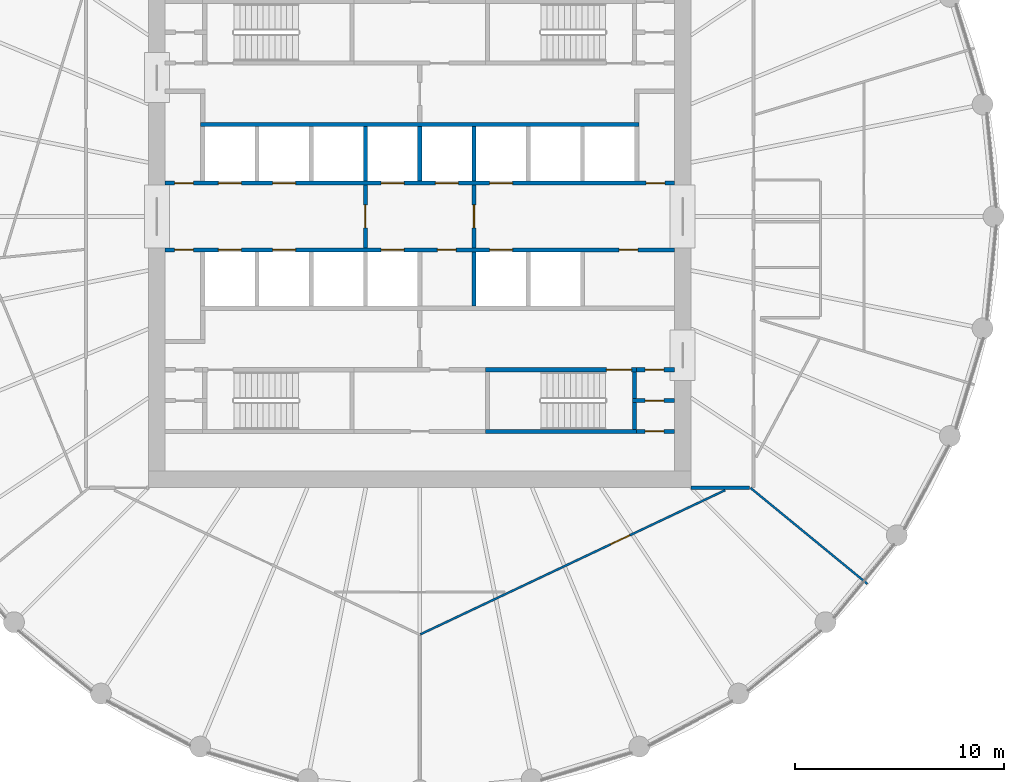
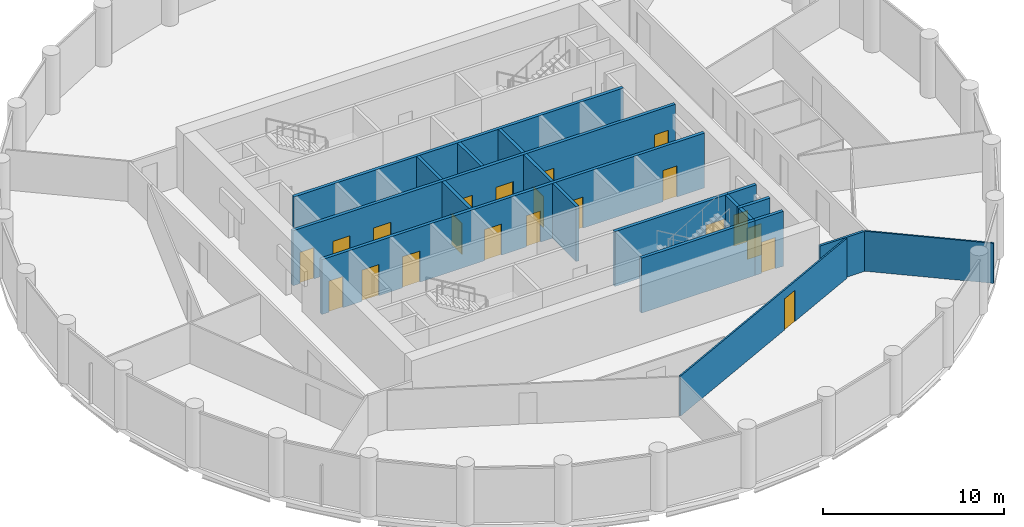
# One storey, part 5 of 8: 21 doors, 19 walls, 21 openings.
"""IFC4 building model written with IfcOpenShell, lengths in metres."""

import ifcopenshell
import ifcopenshell.guid

model = None  # the IFC model being written
_history = None  # IfcOwnerHistory: only IFC2X3 demands one
_inside = {}  # id of a spatial element -> (the spatial element, [elements in it])
_under = {}  # id of a project, library or spatial element -> (it, [spatial elements below it])
_declared = {}  # id of a project -> (the project, [libraries it declares])
_typed = {}  # id of a type object -> (the type object, [elements of that type])
_made_of = {}  # id of a material, layer set ... -> (it, [elements and type objects made of it])


def new_model(schema):
    """Start an empty IFC model of exactly this schema.

    Asked for "IFC4X3", IfcOpenShell would pick the latest addendum, in which some entities
    have other attributes; the version numbers below select the first issue.
    IFC2X3 requires an IfcOwnerHistory on every rooted entity: one is made here for all.
    """
    global model, _history
    if schema == "IFC4X3":
        model = ifcopenshell.file(schema_version=(4, 3, 0, 0))
    else:
        model = ifcopenshell.file(schema=schema)
    _inside.clear()
    _under.clear()
    _declared.clear()
    _typed.clear()
    _made_of.clear()
    _history = None
    if model.schema == "IFC2X3":
        org = make("IfcOrganization", Name="unknown")
        user = make(
            "IfcPersonAndOrganization",
            ThePerson=make("IfcPerson", FamilyName="unknown"),
            TheOrganization=org,
        )
        app = make(
            "IfcApplication",
            ApplicationDeveloper=org,
            Version="unknown",
            ApplicationFullName="unknown",
            ApplicationIdentifier="unknown",
        )
        _history = make(
            "IfcOwnerHistory",
            OwningUser=user,
            OwningApplication=app,
            ChangeAction="ADDED",
            CreationDate=0,
        )
    return model


def make(cls, **values):
    """One entity of the class cls with the attributes given. An attribute that is None is left unset."""
    return model.create_entity(
        cls, **{name: value for name, value in values.items() if value is not None}
    )


def rooted(cls, **values):
    """An entity with a GlobalId (a new one), such as an element, a storey or a relation."""
    return make(cls, GlobalId=ifcopenshell.guid.new(), OwnerHistory=_history, **values)


def si_unit(unit_type, name, prefix=None):
    """IfcSIUnit, for example si_unit("LENGTHUNIT", "METRE", prefix="MILLI")."""
    return make("IfcSIUnit", UnitType=unit_type, Prefix=prefix, Name=name)


def assignment(units):
    """IfcUnitAssignment: the units of a project."""
    return None if units is None else make("IfcUnitAssignment", Units=units)


def point(xyz):
    """IfcCartesianPoint."""
    return None if xyz is None else make("IfcCartesianPoint", Coordinates=xyz)


def direction(xyz):
    """IfcDirection."""
    return None if xyz is None else make("IfcDirection", DirectionRatios=xyz)


def frame(location, z_axis=None, x_axis=None):
    """IfcAxis2Placement3D, a coordinate frame: its origin and axes. An axis left out is left unset."""
    return make(
        "IfcAxis2Placement3D",
        Location=point(location),
        Axis=direction(z_axis),
        RefDirection=direction(x_axis),
    )


def frame_2d(location, x_axis=None):
    """IfcAxis2Placement2D, a coordinate frame in the plane: its origin and x axis."""
    return make(
        "IfcAxis2Placement2D", Location=point(location), RefDirection=direction(x_axis)
    )


def origin():
    """The frame at (0, 0, 0) with its axes left unset."""
    return frame((0.0, 0.0, 0.0))


def place(relative_to, where):
    """IfcLocalPlacement: puts the frame where relative to a parent placement (None: the world)."""
    return make(
        "IfcLocalPlacement", PlacementRelTo=relative_to, RelativePlacement=where
    )


def context(
    kind, dimensions, precision=None, world=None, true_north=None, identifier=None
):
    """IfcGeometricRepresentationContext, for example the 3D "Model" context."""
    return make(
        "IfcGeometricRepresentationContext",
        ContextIdentifier=identifier,
        ContextType=kind,
        CoordinateSpaceDimension=dimensions,
        Precision=precision,
        WorldCoordinateSystem=world,
        TrueNorth=true_north,
    )


def subcontext(parent, identifier, kind, view, scale=None):
    """IfcGeometricRepresentationSubContext, for example "Body" below "Model"."""
    return make(
        "IfcGeometricRepresentationSubContext",
        ContextIdentifier=identifier,
        ContextType=kind,
        ParentContext=parent,
        TargetScale=scale,
        TargetView=view,
    )


def project(units=None, contexts=None):
    """IfcProject with its units and contexts."""
    return rooted(
        "IfcProject",
        Name="project",
        RepresentationContexts=contexts,
        UnitsInContext=assignment(units),
    )


def spatial(cls, under=None, at=None, **own):
    """A site, building, storey or space (cls), placed at a placement, below another one or the project."""
    s = rooted(cls, ObjectPlacement=at, **own)
    if under is not None:
        _under.setdefault(under.id(), (under, []))[1].append(s)
    return s


def polyline(points):
    """IfcPolyline through the points."""
    return make("IfcPolyline", Points=[point(p) for p in points])


def profile(cls, at=None, kind="AREA", **sizes):
    """A parametric profile (cls). Its sizes go by their IFC names, for example OverallWidth=200.0."""
    return make(cls, ProfileType=kind, Position=at, **sizes)


def rectangle(**sizes):
    """IfcRectangleProfileDef."""
    return profile("IfcRectangleProfileDef", **sizes)


def outline(outer, holes=None, kind="AREA"):
    """IfcArbitraryClosedProfileDef: a profile drawn as a closed curve; with holes, ...WithVoids."""
    if holes is None:
        return make("IfcArbitraryClosedProfileDef", ProfileType=kind, OuterCurve=outer)
    return make(
        "IfcArbitraryProfileDefWithVoids",
        ProfileType=kind,
        OuterCurve=outer,
        InnerCurves=holes,
    )


def extrude(swept, where, along, depth):
    """IfcExtrudedAreaSolid: the profile swept, set in the frame where, extruded along a direction by depth."""
    return make(
        "IfcExtrudedAreaSolid",
        SweptArea=swept,
        Position=where,
        ExtrudedDirection=direction(along),
        Depth=depth,
    )


def shape(context_of_items, identifier, shape_type, items):
    """IfcShapeRepresentation: the items that make up one representation, for example the "Body"."""
    return make(
        "IfcShapeRepresentation",
        ContextOfItems=context_of_items,
        RepresentationIdentifier=identifier,
        RepresentationType=shape_type,
        Items=items,
    )


def material(Name=None, Category=None):
    """IfcMaterial."""
    return make("IfcMaterial", Name=Name, Category=Category)


def layer(
    of_material, thickness, ventilated=None, Name=None, Category=None, Priority=None
):
    """IfcMaterialLayer: one layer of a wall or slab, of a material (None: an air gap)."""
    return make(
        "IfcMaterialLayer",
        Material=of_material,
        LayerThickness=thickness,
        IsVentilated=ventilated,
        Name=Name,
        Category=Category,
        Priority=Priority,
    )


def layer_set(layers, Name=None):
    """IfcMaterialLayerSet."""
    return make("IfcMaterialLayerSet", MaterialLayers=layers, LayerSetName=Name)


def made_of(thing, what):
    """Note that an element or type object is made of a material, layer set ...; save() writes the relation."""
    if what is not None:
        _made_of.setdefault(what.id(), (what, []))[1].append(thing)
    return thing


def type_object(cls, material=None, **own):
    """A type object (cls), such as IfcWallType, which elements share."""
    return made_of(rooted(cls, **own), material)


def element(
    cls,
    number,
    at=None,
    inside=None,
    cuts=None,
    type_object=None,
    material=None,
    context=None,
    identifier="Body",
    shape_type=None,
    held_by="IfcProductDefinitionShape",
    body=None,
    shapes=None,
    **own,
):
    """One element of the class cls, such as IfcWall. Its Tag is "e" and its number.

    at: its placement. inside: the storey or other place that contains it. cuts: it is an
    opening in that element (IfcRelVoidsElement). A single representation is given by context,
    identifier, shape_type and body (its items); several are given by shapes. held_by: the class
    of the entity that holds the representations. save() writes the other relations.
    """
    e = rooted(cls, Tag="e%d" % number, ObjectPlacement=at, **own)
    if body is not None:
        shapes = [shape(context, identifier, shape_type, body)]
    if shapes is not None:
        e.Representation = make(held_by, Representations=shapes)
    if inside is not None:
        _inside.setdefault(inside.id(), (inside, []))[1].append(e)
    if cuts is not None:
        rooted(
            "IfcRelVoidsElement", RelatingBuildingElement=cuts, RelatedOpeningElement=e
        )
    if type_object is not None:
        _typed.setdefault(type_object.id(), (type_object, []))[1].append(e)
    return made_of(e, material)


def fill(opening, filler):
    """IfcRelFillsElement: the door or window that sits in an opening."""
    return rooted(
        "IfcRelFillsElement",
        RelatingOpeningElement=opening,
        RelatedBuildingElement=filler,
    )


def aggregate(whole, parts):
    """IfcRelAggregates: a whole, such as a stair, and the parts it consists of."""
    return rooted("IfcRelAggregates", RelatingObject=whole, RelatedObjects=parts)


def save(model, path):
    """Write the relations noted so far, then the file.

    IfcRelAggregates (storeys below a building ...), IfcRelContainedInSpatialStructure (elements
    in a storey), IfcRelDefinesByType, IfcRelAssociatesMaterial and IfcRelDeclares: one each for
    every whole, place, type object, material and project.
    """
    for whole, parts in _under.values():
        aggregate(whole, parts)
    for where, things in _inside.values():
        rooted(
            "IfcRelContainedInSpatialStructure",
            RelatedElements=things,
            RelatingStructure=where,
        )
    for kind, things in _typed.values():
        rooted("IfcRelDefinesByType", RelatedObjects=things, RelatingType=kind)
    for what, things in _made_of.values():
        rooted("IfcRelAssociatesMaterial", RelatedObjects=things, RelatingMaterial=what)
    for by, libraries in _declared.values():
        rooted("IfcRelDeclares", RelatingContext=by, RelatedDefinitions=libraries)
    model.write(path)


model = new_model("IFC4")

# Units and contexts
model_context = context("Model", 3, precision=1e-05, world=origin(), true_north=direction((0.0, 1.0)))
body_context = subcontext(model_context, "Body", "Model", "MODEL_VIEW")
ifc_project = project(units=[si_unit("LENGTHUNIT", "METRE"), si_unit("AREAUNIT", "SQUARE_METRE"), si_unit("VOLUMEUNIT", "CUBIC_METRE"), si_unit("PLANEANGLEUNIT", "RADIAN"), si_unit("MASSUNIT", "GRAM", prefix="KILO")], contexts=[model_context])

# Site, building, storey
site_placement = place(None, origin())
site = spatial("IfcSite", under=ifc_project, at=site_placement, CompositionType="ELEMENT")
building_placement = place(site_placement, origin())
building = spatial("IfcBuilding", under=site, at=building_placement, Name="Corvane Civic Tower", CompositionType="ELEMENT")
storey_placement = place(building_placement, frame((0.0, 0.0, 245.5)))
storey = spatial("IfcBuildingStorey", under=building, at=storey_placement, Name="L58", CompositionType="ELEMENT", Elevation=245.5)

# Wall, opening, door
ifc_material_1 = material(Name="Concrete C30/37", Category="concrete")
ifc_layer_1 = layer(ifc_material_1, 0.199951171875)
ifc_layer_set_1 = layer_set([ifc_layer_1], Name="Concrete C30/37")
wall_type_1 = type_object("IfcWallType", Name="CR-WALL-200", PredefinedType="PARTITIONING", material=ifc_layer_set_1)
wall_1_placement = place(storey_placement, frame((10.39990234375, -10.300048828125, 0.0), z_axis=(0.0, 0.0, 1.0), x_axis=(1.0, 0.0, 0.0)))
wall_1 = element("IfcWall", 1, at=wall_1_placement, inside=storey, type_object=wall_type_1, Name="L58 partition wall", PredefinedType="PARTITIONING", context=body_context, shape_type="SweptSolid", body=[
    extrude(rectangle(XDim=1.800048828125, YDim=0.199951171875, at=frame_2d((0.89990234375, 0.0))), origin(), (0.0, 0.0, 1.0), 3.699951171875),
])
opening_1_placement = place(wall_1_placement, frame((0.39990234375, 0.0, 0.0)))
opening_1 = element("IfcOpeningElement", 2, at=opening_1_placement, cuts=wall_1, Name="Opening L58.C19", PredefinedType="OPENING", context=body_context, shape_type="SweptSolid", body=[
    extrude(rectangle(XDim=0.89990234375, YDim=2.10009765625, at=frame_2d((0.449951171875, 1.050048828125))), frame((0.0, 0.10986328125, 0.0), z_axis=(0.0, -1.0, 0.0), x_axis=(1.0, 0.0, 0.0)), (0.0, 0.0, 1.0), 0.219970703125),
])
ifc_material_2 = material(Name="Steel fire door leaf", Category="steel")
door_type_1 = type_object("IfcDoorType", Name="CR-DOOR-900", OperationType="SINGLE_SWING_LEFT", PredefinedType="DOOR", material=ifc_material_2)
door_1_placement = place(opening_1_placement, origin())
door_1 = element("IfcDoor", 3, at=door_1_placement, inside=storey, type_object=door_type_1, Name="L58 door", OperationType="SINGLE_SWING_LEFT", OverallHeight=2.10009765625, OverallWidth=0.89990234375, PredefinedType="DOOR", context=body_context, shape_type="SweptSolid", body=[
    extrude(rectangle(XDim=0.89990234375, YDim=2.10009765625, at=frame_2d((0.449951171875, 1.050048828125))), frame((0.0, 0.02490234375, 0.0), z_axis=(0.0, -1.0, 0.0), x_axis=(1.0, 0.0, 0.0)), (0.0, 0.0, 1.0), 0.050048828125),
])
fill(opening_1, door_1)

wall_2_placement = place(storey_placement, frame((10.199951171875, -8.824951171875, 0.0), z_axis=(0.0, 0.0, 1.0), x_axis=(1.0, 0.0, 0.0)))
wall_2 = element("IfcWall", 4, at=wall_2_placement, inside=storey, type_object=wall_type_1, Name="L58 partition wall", PredefinedType="PARTITIONING", context=body_context, shape_type="SweptSolid", body=[
    extrude(rectangle(XDim=2.0, YDim=0.199951171875, at=frame_2d((1.0, 0.0))), origin(), (0.0, 0.0, 1.0), 3.699951171875),
])
opening_2_placement = place(wall_2_placement, frame((0.60009765625, 0.0, 0.0)))
opening_2 = element("IfcOpeningElement", 5, at=opening_2_placement, cuts=wall_2, Name="Opening L58.C18", PredefinedType="OPENING", context=body_context, shape_type="SweptSolid", body=[
    extrude(rectangle(XDim=0.89990234375, YDim=2.10009765625, at=frame_2d((0.449951171875, 1.050048828125))), frame((0.0, 0.10986328125, 0.0), z_axis=(0.0, -1.0, 0.0), x_axis=(1.0, 0.0, 0.0)), (0.0, 0.0, 1.0), 0.219970703125),
])
door_2_placement = place(opening_2_placement, origin())
door_2 = element("IfcDoor", 6, at=door_2_placement, inside=storey, type_object=door_type_1, Name="L58 door", OperationType="SINGLE_SWING_LEFT", OverallHeight=2.10009765625, OverallWidth=0.89990234375, PredefinedType="DOOR", context=body_context, shape_type="SweptSolid", body=[
    extrude(rectangle(XDim=0.89990234375, YDim=2.10009765625, at=frame_2d((0.449951171875, 1.050048828125))), frame((0.0, 0.02490234375, 0.0), z_axis=(0.0, -1.0, 0.0), x_axis=(1.0, 0.0, 0.0)), (0.0, 0.0, 1.0), 0.050048828125),
])
fill(opening_2, door_2)

wall_3_placement = place(storey_placement, frame((10.39990234375, -7.35009765625, 0.0), z_axis=(0.0, 0.0, 1.0), x_axis=(1.0, 0.0, 0.0)))
wall_3 = element("IfcWall", 7, at=wall_3_placement, inside=storey, type_object=wall_type_1, Name="L58 core partition wall", PredefinedType="PARTITIONING", context=body_context, shape_type="SweptSolid", body=[
    extrude(rectangle(XDim=1.800048828125, YDim=0.199951171875, at=frame_2d((0.89990234375, 0.0))), origin(), (0.0, 0.0, 1.0), 3.699951171875),
])
opening_3_placement = place(wall_3_placement, frame((0.39990234375, 0.0, 0.0)))
opening_3 = element("IfcOpeningElement", 8, at=opening_3_placement, cuts=wall_3, Name="Opening L58.C17", PredefinedType="OPENING", context=body_context, shape_type="SweptSolid", body=[
    extrude(rectangle(XDim=0.89990234375, YDim=2.10009765625, at=frame_2d((0.449951171875, 1.050048828125))), frame((0.0, 0.10986328125, 0.0), z_axis=(0.0, -1.0, 0.0), x_axis=(1.0, 0.0, 0.0)), (0.0, 0.0, 1.0), 0.219970703125),
])
door_3_placement = place(opening_3_placement, origin())
door_3 = element("IfcDoor", 9, at=door_3_placement, inside=storey, type_object=door_type_1, Name="L58 door", OperationType="SINGLE_SWING_LEFT", OverallHeight=2.10009765625, OverallWidth=0.89990234375, PredefinedType="DOOR", context=body_context, shape_type="SweptSolid", body=[
    extrude(rectangle(XDim=0.89990234375, YDim=2.10009765625, at=frame_2d((0.449951171875, 1.050048828125))), frame((0.0, 0.02490234375, 0.0), z_axis=(0.0, -1.0, 0.0), x_axis=(1.0, 0.0, 0.0)), (0.0, 0.0, 1.0), 0.050048828125),
])
fill(opening_3, door_3)

# Wall, openings, doors
wall_4_placement = place(storey_placement, frame((-12.199951171875, -1.60009765625, 0.0), z_axis=(0.0, 0.0, 1.0), x_axis=(1.0, 0.0, 0.0)))
wall_4 = element("IfcWall", 10, at=wall_4_placement, inside=storey, type_object=wall_type_1, Name="L58 lift shaft wall", PredefinedType="PARTITIONING", context=body_context, shape_type="SweptSolid", body=[
    extrude(rectangle(XDim=24.39990234375, YDim=0.199951171875, at=frame_2d((12.199951171875, 0.0))), origin(), (0.0, 0.0, 1.0), 3.699951171875),
])
opening_4_placement = place(wall_4_placement, frame((2.550048828125, 0.0, 0.0)))
opening_4 = element("IfcOpeningElement", 11, at=opening_4_placement, cuts=wall_4, Name="Opening LD", PredefinedType="OPENING", context=body_context, shape_type="SweptSolid", body=[
    extrude(rectangle(XDim=1.10009765625, YDim=2.10009765625, at=frame_2d((0.550048828125, 1.050048828125))), frame((0.0, 0.10986328125, 0.0), z_axis=(0.0, -1.0, 0.0), x_axis=(1.0, 0.0, 0.0)), (0.0, 0.0, 1.0), 0.219970703125),
])
opening_5_placement = place(wall_4_placement, frame((5.14990234375, 0.0, 0.0)))
opening_5 = element("IfcOpeningElement", 12, at=opening_5_placement, cuts=wall_4, Name="Opening LD", PredefinedType="OPENING", context=body_context, shape_type="SweptSolid", body=[
    extrude(rectangle(XDim=1.10009765625, YDim=2.10009765625, at=frame_2d((0.550048828125, 1.050048828125))), frame((0.0, 0.10986328125, 0.0), z_axis=(0.0, -1.0, 0.0), x_axis=(1.0, 0.0, 0.0)), (0.0, 0.0, 1.0), 0.219970703125),
])
opening_6_placement = place(wall_4_placement, frame((10.35009765625, 0.0, 0.0)))
opening_6 = element("IfcOpeningElement", 13, at=opening_6_placement, cuts=wall_4, Name="Opening LD", PredefinedType="OPENING", context=body_context, shape_type="SweptSolid", body=[
    extrude(rectangle(XDim=1.10009765625, YDim=2.10009765625, at=frame_2d((0.550048828125, 1.050048828125))), frame((0.0, 0.10986328125, 0.0), z_axis=(0.0, -1.0, 0.0), x_axis=(1.0, 0.0, 0.0)), (0.0, 0.0, 1.0), 0.219970703125),
])
opening_7_placement = place(wall_4_placement, frame((13.050048828125, 0.0, 0.0)))
opening_7 = element("IfcOpeningElement", 14, at=opening_7_placement, cuts=wall_4, Name="Opening L58.C03", PredefinedType="OPENING", context=body_context, shape_type="SweptSolid", body=[
    extrude(rectangle(XDim=0.89990234375, YDim=2.10009765625, at=frame_2d((0.449951171875, 1.050048828125))), frame((0.0, 0.10986328125, 0.0), z_axis=(0.0, -1.0, 0.0), x_axis=(1.0, 0.0, 0.0)), (0.0, 0.0, 1.0), 0.219970703125),
])
opening_8_placement = place(wall_4_placement, frame((15.550048828125, 0.0, 0.0)))
opening_8 = element("IfcOpeningElement", 15, at=opening_8_placement, cuts=wall_4, Name="Opening LD", PredefinedType="OPENING", context=body_context, shape_type="SweptSolid", body=[
    extrude(rectangle(XDim=1.10009765625, YDim=2.10009765625, at=frame_2d((0.550048828125, 1.050048828125))), frame((0.0, 0.10986328125, 0.0), z_axis=(0.0, -1.0, 0.0), x_axis=(1.0, 0.0, 0.0)), (0.0, 0.0, 1.0), 0.219970703125),
])
opening_9_placement = place(wall_4_placement, frame((0.449951171875, 0.0, 0.0)))
opening_9 = element("IfcOpeningElement", 16, at=opening_9_placement, cuts=wall_4, Name="Opening L58.C04", PredefinedType="OPENING", context=body_context, shape_type="SweptSolid", body=[
    extrude(rectangle(XDim=0.89990234375, YDim=2.10009765625, at=frame_2d((0.449951171875, 1.050048828125))), frame((0.0, 0.10986328125, 0.0), z_axis=(0.0, -1.0, 0.0), x_axis=(1.0, 0.0, 0.0)), (0.0, 0.0, 1.0), 0.219970703125),
])
opening_10_placement = place(wall_4_placement, frame((21.75, 0.0, 0.0)))
opening_10 = element("IfcOpeningElement", 17, at=opening_10_placement, cuts=wall_4, Name="Opening L58.C05", PredefinedType="OPENING", context=body_context, shape_type="SweptSolid", body=[
    extrude(rectangle(XDim=0.89990234375, YDim=2.10009765625, at=frame_2d((0.449951171875, 1.050048828125))), frame((0.0, 0.10986328125, 0.0), z_axis=(0.0, -1.0, 0.0), x_axis=(1.0, 0.0, 0.0)), (0.0, 0.0, 1.0), 0.219970703125),
])
door_4_placement = place(opening_7_placement, origin())
door_4 = element("IfcDoor", 18, at=door_4_placement, inside=storey, type_object=door_type_1, Name="L58 door", OperationType="SINGLE_SWING_LEFT", OverallHeight=2.10009765625, OverallWidth=0.89990234375, PredefinedType="DOOR", context=body_context, shape_type="SweptSolid", body=[
    extrude(rectangle(XDim=0.89990234375, YDim=2.10009765625, at=frame_2d((0.449951171875, 1.050048828125))), frame((0.0, 0.02490234375, 0.0), z_axis=(0.0, -1.0, 0.0), x_axis=(1.0, 0.0, 0.0)), (0.0, 0.0, 1.0), 0.050048828125),
])
fill(opening_7, door_4)
door_5_placement = place(opening_9_placement, origin())
door_5 = element("IfcDoor", 19, at=door_5_placement, inside=storey, type_object=door_type_1, Name="L58 door", OperationType="SINGLE_SWING_LEFT", OverallHeight=2.10009765625, OverallWidth=0.89990234375, PredefinedType="DOOR", context=body_context, shape_type="SweptSolid", body=[
    extrude(rectangle(XDim=0.89990234375, YDim=2.10009765625, at=frame_2d((0.449951171875, 1.050048828125))), frame((0.0, 0.02490234375, 0.0), z_axis=(0.0, -1.0, 0.0), x_axis=(1.0, 0.0, 0.0)), (0.0, 0.0, 1.0), 0.050048828125),
])
fill(opening_9, door_5)
door_6_placement = place(opening_10_placement, origin())
door_6 = element("IfcDoor", 20, at=door_6_placement, inside=storey, type_object=door_type_1, Name="L58 door", OperationType="SINGLE_SWING_LEFT", OverallHeight=2.10009765625, OverallWidth=0.89990234375, PredefinedType="DOOR", context=body_context, shape_type="SweptSolid", body=[
    extrude(rectangle(XDim=0.89990234375, YDim=2.10009765625, at=frame_2d((0.449951171875, 1.050048828125))), frame((0.0, 0.02490234375, 0.0), z_axis=(0.0, -1.0, 0.0), x_axis=(1.0, 0.0, 0.0)), (0.0, 0.0, 1.0), 0.050048828125),
])
fill(opening_10, door_6)
ifc_material_3 = material(Name="Stainless steel 316 door leaves", Category="steel")
door_type_2 = type_object("IfcDoorType", Name="LD", OperationType="DOUBLE_DOOR_SLIDING", PredefinedType="DOOR", material=ifc_material_3)
door_7_placement = place(opening_4_placement, origin())
door_7 = element("IfcDoor", 21, at=door_7_placement, inside=storey, type_object=door_type_2, Name="L58 landing door", OperationType="DOUBLE_DOOR_SLIDING", OverallHeight=2.10009765625, OverallWidth=1.10009765625, PredefinedType="DOOR", context=body_context, shape_type="SweptSolid", body=[
    extrude(rectangle(XDim=1.10009765625, YDim=2.10009765625, at=frame_2d((0.550048828125, 1.050048828125))), frame((0.0, 0.02490234375, 0.0), z_axis=(0.0, -1.0, 0.0), x_axis=(1.0, 0.0, 0.0)), (0.0, 0.0, 1.0), 0.050048828125),
])
fill(opening_4, door_7)
door_8_placement = place(opening_5_placement, origin())
door_8 = element("IfcDoor", 22, at=door_8_placement, inside=storey, type_object=door_type_2, Name="L58 landing door", OperationType="DOUBLE_DOOR_SLIDING", OverallHeight=2.10009765625, OverallWidth=1.10009765625, PredefinedType="DOOR", context=body_context, shape_type="SweptSolid", body=[
    extrude(rectangle(XDim=1.10009765625, YDim=2.10009765625, at=frame_2d((0.550048828125, 1.050048828125))), frame((0.0, 0.02490234375, 0.0), z_axis=(0.0, -1.0, 0.0), x_axis=(1.0, 0.0, 0.0)), (0.0, 0.0, 1.0), 0.050048828125),
])
fill(opening_5, door_8)
door_9_placement = place(opening_6_placement, origin())
door_9 = element("IfcDoor", 23, at=door_9_placement, inside=storey, type_object=door_type_2, Name="L58 landing door", OperationType="DOUBLE_DOOR_SLIDING", OverallHeight=2.10009765625, OverallWidth=1.10009765625, PredefinedType="DOOR", context=body_context, shape_type="SweptSolid", body=[
    extrude(rectangle(XDim=1.10009765625, YDim=2.10009765625, at=frame_2d((0.550048828125, 1.050048828125))), frame((0.0, 0.02490234375, 0.0), z_axis=(0.0, -1.0, 0.0), x_axis=(1.0, 0.0, 0.0)), (0.0, 0.0, 1.0), 0.050048828125),
])
fill(opening_6, door_9)
door_10_placement = place(opening_8_placement, origin())
door_10 = element("IfcDoor", 24, at=door_10_placement, inside=storey, type_object=door_type_2, Name="L58 landing door", OperationType="DOUBLE_DOOR_SLIDING", OverallHeight=2.10009765625, OverallWidth=1.10009765625, PredefinedType="DOOR", context=body_context, shape_type="SweptSolid", body=[
    extrude(rectangle(XDim=1.10009765625, YDim=2.10009765625, at=frame_2d((0.550048828125, 1.050048828125))), frame((0.0, 0.02490234375, 0.0), z_axis=(0.0, -1.0, 0.0), x_axis=(1.0, 0.0, 0.0)), (0.0, 0.0, 1.0), 0.050048828125),
])
fill(opening_8, door_10)

wall_5_placement = place(storey_placement, frame((-12.199951171875, 1.60009765625, 0.0), z_axis=(0.0, 0.0, 1.0), x_axis=(1.0, 0.0, 0.0)))
wall_5 = element("IfcWall", 25, at=wall_5_placement, inside=storey, type_object=wall_type_1, Name="L58 lift shaft wall", PredefinedType="PARTITIONING", context=body_context, shape_type="SweptSolid", body=[
    extrude(rectangle(XDim=24.39990234375, YDim=0.199951171875, at=frame_2d((12.199951171875, 0.0))), origin(), (0.0, 0.0, 1.0), 3.699951171875),
])
opening_11_placement = place(wall_5_placement, frame((2.550048828125, 0.0, 0.0)))
opening_11 = element("IfcOpeningElement", 26, at=opening_11_placement, cuts=wall_5, Name="Opening LD", PredefinedType="OPENING", context=body_context, shape_type="SweptSolid", body=[
    extrude(rectangle(XDim=1.10009765625, YDim=2.10009765625, at=frame_2d((0.550048828125, 1.050048828125))), frame((0.0, 0.10986328125, 0.0), z_axis=(0.0, -1.0, 0.0), x_axis=(1.0, 0.0, 0.0)), (0.0, 0.0, 1.0), 0.219970703125),
])
opening_12_placement = place(wall_5_placement, frame((5.14990234375, 0.0, 0.0)))
opening_12 = element("IfcOpeningElement", 27, at=opening_12_placement, cuts=wall_5, Name="Opening LD", PredefinedType="OPENING", context=body_context, shape_type="SweptSolid", body=[
    extrude(rectangle(XDim=1.10009765625, YDim=2.10009765625, at=frame_2d((0.550048828125, 1.050048828125))), frame((0.0, 0.10986328125, 0.0), z_axis=(0.0, -1.0, 0.0), x_axis=(1.0, 0.0, 0.0)), (0.0, 0.0, 1.0), 0.219970703125),
])
opening_13_placement = place(wall_5_placement, frame((10.35009765625, 0.0, 0.0)))
opening_13 = element("IfcOpeningElement", 28, at=opening_13_placement, cuts=wall_5, Name="Opening LD", PredefinedType="OPENING", context=body_context, shape_type="SweptSolid", body=[
    extrude(rectangle(XDim=1.10009765625, YDim=2.10009765625, at=frame_2d((0.550048828125, 1.050048828125))), frame((0.0, 0.10986328125, 0.0), z_axis=(0.0, -1.0, 0.0), x_axis=(1.0, 0.0, 0.0)), (0.0, 0.0, 1.0), 0.219970703125),
])
opening_14_placement = place(wall_5_placement, frame((12.949951171875, 0.0, 0.0)))
opening_14 = element("IfcOpeningElement", 29, at=opening_14_placement, cuts=wall_5, Name="Opening LD", PredefinedType="OPENING", context=body_context, shape_type="SweptSolid", body=[
    extrude(rectangle(XDim=1.10009765625, YDim=2.10009765625, at=frame_2d((0.550048828125, 1.050048828125))), frame((0.0, 0.10986328125, 0.0), z_axis=(0.0, -1.0, 0.0), x_axis=(1.0, 0.0, 0.0)), (0.0, 0.0, 1.0), 0.219970703125),
])
opening_15_placement = place(wall_5_placement, frame((15.550048828125, 0.0, 0.0)))
opening_15 = element("IfcOpeningElement", 30, at=opening_15_placement, cuts=wall_5, Name="Opening LD", PredefinedType="OPENING", context=body_context, shape_type="SweptSolid", body=[
    extrude(rectangle(XDim=1.10009765625, YDim=2.10009765625, at=frame_2d((0.550048828125, 1.050048828125))), frame((0.0, 0.10986328125, 0.0), z_axis=(0.0, -1.0, 0.0), x_axis=(1.0, 0.0, 0.0)), (0.0, 0.0, 1.0), 0.219970703125),
])
opening_16_placement = place(wall_5_placement, frame((0.449951171875, 0.0, 0.0)))
opening_16 = element("IfcOpeningElement", 31, at=opening_16_placement, cuts=wall_5, Name="Opening L58.C01", PredefinedType="OPENING", context=body_context, shape_type="SweptSolid", body=[
    extrude(rectangle(XDim=0.89990234375, YDim=2.10009765625, at=frame_2d((0.449951171875, 1.050048828125))), frame((0.0, 0.10986328125, 0.0), z_axis=(0.0, -1.0, 0.0), x_axis=(1.0, 0.0, 0.0)), (0.0, 0.0, 1.0), 0.219970703125),
])
opening_17_placement = place(wall_5_placement, frame((23.050048828125, 0.0, 0.0)))
opening_17 = element("IfcOpeningElement", 32, at=opening_17_placement, cuts=wall_5, Name="Opening L58.C02", PredefinedType="OPENING", context=body_context, shape_type="SweptSolid", body=[
    extrude(rectangle(XDim=0.89990234375, YDim=2.10009765625, at=frame_2d((0.449951171875, 1.050048828125))), frame((0.0, 0.10986328125, 0.0), z_axis=(0.0, -1.0, 0.0), x_axis=(1.0, 0.0, 0.0)), (0.0, 0.0, 1.0), 0.219970703125),
])
door_11_placement = place(opening_16_placement, origin())
door_11 = element("IfcDoor", 33, at=door_11_placement, inside=storey, type_object=door_type_1, Name="L58 door", OperationType="SINGLE_SWING_LEFT", OverallHeight=2.10009765625, OverallWidth=0.89990234375, PredefinedType="DOOR", context=body_context, shape_type="SweptSolid", body=[
    extrude(rectangle(XDim=0.89990234375, YDim=2.10009765625, at=frame_2d((0.449951171875, 1.050048828125))), frame((0.0, 0.02490234375, 0.0), z_axis=(0.0, -1.0, 0.0), x_axis=(1.0, 0.0, 0.0)), (0.0, 0.0, 1.0), 0.050048828125),
])
fill(opening_16, door_11)
door_12_placement = place(opening_17_placement, origin())
door_12 = element("IfcDoor", 34, at=door_12_placement, inside=storey, type_object=door_type_1, Name="L58 door", OperationType="SINGLE_SWING_LEFT", OverallHeight=2.10009765625, OverallWidth=0.89990234375, PredefinedType="DOOR", context=body_context, shape_type="SweptSolid", body=[
    extrude(rectangle(XDim=0.89990234375, YDim=2.10009765625, at=frame_2d((0.449951171875, 1.050048828125))), frame((0.0, 0.02490234375, 0.0), z_axis=(0.0, -1.0, 0.0), x_axis=(1.0, 0.0, 0.0)), (0.0, 0.0, 1.0), 0.050048828125),
])
fill(opening_17, door_12)
door_13_placement = place(opening_11_placement, origin())
door_13 = element("IfcDoor", 35, at=door_13_placement, inside=storey, type_object=door_type_2, Name="L58 landing door", OperationType="DOUBLE_DOOR_SLIDING", OverallHeight=2.10009765625, OverallWidth=1.10009765625, PredefinedType="DOOR", context=body_context, shape_type="SweptSolid", body=[
    extrude(rectangle(XDim=1.10009765625, YDim=2.10009765625, at=frame_2d((0.550048828125, 1.050048828125))), frame((0.0, 0.02490234375, 0.0), z_axis=(0.0, -1.0, 0.0), x_axis=(1.0, 0.0, 0.0)), (0.0, 0.0, 1.0), 0.050048828125),
])
fill(opening_11, door_13)
door_14_placement = place(opening_12_placement, origin())
door_14 = element("IfcDoor", 36, at=door_14_placement, inside=storey, type_object=door_type_2, Name="L58 landing door", OperationType="DOUBLE_DOOR_SLIDING", OverallHeight=2.10009765625, OverallWidth=1.10009765625, PredefinedType="DOOR", context=body_context, shape_type="SweptSolid", body=[
    extrude(rectangle(XDim=1.10009765625, YDim=2.10009765625, at=frame_2d((0.550048828125, 1.050048828125))), frame((0.0, 0.02490234375, 0.0), z_axis=(0.0, -1.0, 0.0), x_axis=(1.0, 0.0, 0.0)), (0.0, 0.0, 1.0), 0.050048828125),
])
fill(opening_12, door_14)
door_15_placement = place(opening_13_placement, origin())
door_15 = element("IfcDoor", 37, at=door_15_placement, inside=storey, type_object=door_type_2, Name="L58 landing door", OperationType="DOUBLE_DOOR_SLIDING", OverallHeight=2.10009765625, OverallWidth=1.10009765625, PredefinedType="DOOR", context=body_context, shape_type="SweptSolid", body=[
    extrude(rectangle(XDim=1.10009765625, YDim=2.10009765625, at=frame_2d((0.550048828125, 1.050048828125))), frame((0.0, 0.02490234375, 0.0), z_axis=(0.0, -1.0, 0.0), x_axis=(1.0, 0.0, 0.0)), (0.0, 0.0, 1.0), 0.050048828125),
])
fill(opening_13, door_15)
door_16_placement = place(opening_14_placement, origin())
door_16 = element("IfcDoor", 38, at=door_16_placement, inside=storey, type_object=door_type_2, Name="L58 landing door", OperationType="DOUBLE_DOOR_SLIDING", OverallHeight=2.10009765625, OverallWidth=1.10009765625, PredefinedType="DOOR", context=body_context, shape_type="SweptSolid", body=[
    extrude(rectangle(XDim=1.10009765625, YDim=2.10009765625, at=frame_2d((0.550048828125, 1.050048828125))), frame((0.0, 0.02490234375, 0.0), z_axis=(0.0, -1.0, 0.0), x_axis=(1.0, 0.0, 0.0)), (0.0, 0.0, 1.0), 0.050048828125),
])
fill(opening_14, door_16)
door_17_placement = place(opening_15_placement, origin())
door_17 = element("IfcDoor", 39, at=door_17_placement, inside=storey, type_object=door_type_2, Name="L58 landing door", OperationType="DOUBLE_DOOR_SLIDING", OverallHeight=2.10009765625, OverallWidth=1.10009765625, PredefinedType="DOOR", context=body_context, shape_type="SweptSolid", body=[
    extrude(rectangle(XDim=1.10009765625, YDim=2.10009765625, at=frame_2d((0.550048828125, 1.050048828125))), frame((0.0, 0.02490234375, 0.0), z_axis=(0.0, -1.0, 0.0), x_axis=(1.0, 0.0, 0.0)), (0.0, 0.0, 1.0), 0.050048828125),
])
fill(opening_15, door_17)

# Wall, opening, door
wall_6_placement = place(storey_placement, frame((-2.60009765625, -1.5, 0.0), z_axis=(0.0, 0.0, 1.0), x_axis=(0.0, 1.0, 0.0)))
wall_6 = element("IfcWall", 40, at=wall_6_placement, inside=storey, type_object=wall_type_1, Name="L58 firefighting lobby wall", PredefinedType="PARTITIONING", context=body_context, shape_type="SweptSolid", body=[
    extrude(rectangle(XDim=3.0, YDim=0.199951171875, at=frame_2d((1.5, 0.0))), origin(), (0.0, 0.0, 1.0), 3.699951171875),
])
opening_18_placement = place(wall_6_placement, frame((0.949951171875, 0.0, 0.0)))
opening_18 = element("IfcOpeningElement", 41, at=opening_18_placement, cuts=wall_6, Name="Opening L58.C24", PredefinedType="OPENING", context=body_context, shape_type="SweptSolid", body=[
    extrude(rectangle(XDim=1.10009765625, YDim=2.10009765625, at=frame_2d((0.550048828125, 1.050048828125))), frame((0.0, 0.10986328125, 0.0), z_axis=(0.0, -1.0, 0.0), x_axis=(1.0, 0.0, 0.0)), (0.0, 0.0, 1.0), 0.219970703125),
])
ifc_material_4 = material(Name="Steel fire door leaf", Category="steel")
door_type_3 = type_object("IfcDoorType", Name="CR-DOOR-FFL-1100", OperationType="SINGLE_SWING_LEFT", PredefinedType="DOOR", material=ifc_material_4)
door_18_placement = place(opening_18_placement, origin())
door_18 = element("IfcDoor", 42, at=door_18_placement, inside=storey, type_object=door_type_3, Name="L58 lobby door", OperationType="SINGLE_SWING_LEFT", OverallHeight=2.10009765625, OverallWidth=1.10009765625, PredefinedType="DOOR", context=body_context, shape_type="SweptSolid", body=[
    extrude(rectangle(XDim=1.10009765625, YDim=2.10009765625, at=frame_2d((0.550048828125, 1.050048828125))), frame((0.0, 0.02490234375, 0.0), z_axis=(0.0, -1.0, 0.0), x_axis=(1.0, 0.0, 0.0)), (0.0, 0.0, 1.0), 0.050048828125),
])
fill(opening_18, door_18)

wall_7_placement = place(storey_placement, frame((2.60009765625, -1.5, 0.0), z_axis=(0.0, 0.0, 1.0), x_axis=(0.0, 1.0, 0.0)))
wall_7 = element("IfcWall", 43, at=wall_7_placement, inside=storey, type_object=wall_type_1, Name="L58 firefighting lobby wall", PredefinedType="PARTITIONING", context=body_context, shape_type="SweptSolid", body=[
    extrude(rectangle(XDim=3.0, YDim=0.199951171875, at=frame_2d((1.5, 0.0))), origin(), (0.0, 0.0, 1.0), 3.699951171875),
])
opening_19_placement = place(wall_7_placement, frame((0.949951171875, 0.0, 0.0)))
opening_19 = element("IfcOpeningElement", 44, at=opening_19_placement, cuts=wall_7, Name="Opening L58.C25", PredefinedType="OPENING", context=body_context, shape_type="SweptSolid", body=[
    extrude(rectangle(XDim=1.10009765625, YDim=2.10009765625, at=frame_2d((0.550048828125, 1.050048828125))), frame((0.0, 0.10986328125, 0.0), z_axis=(0.0, -1.0, 0.0), x_axis=(1.0, 0.0, 0.0)), (0.0, 0.0, 1.0), 0.219970703125),
])
door_19_placement = place(opening_19_placement, origin())
door_19 = element("IfcDoor", 45, at=door_19_placement, inside=storey, type_object=door_type_3, Name="L58 lobby door", OperationType="SINGLE_SWING_LEFT", OverallHeight=2.10009765625, OverallWidth=1.10009765625, PredefinedType="DOOR", context=body_context, shape_type="SweptSolid", body=[
    extrude(rectangle(XDim=1.10009765625, YDim=2.10009765625, at=frame_2d((0.550048828125, 1.050048828125))), frame((0.0, 0.02490234375, 0.0), z_axis=(0.0, -1.0, 0.0), x_axis=(1.0, 0.0, 0.0)), (0.0, 0.0, 1.0), 0.050048828125),
])
fill(opening_19, door_19)

# Walls
wall_8_placement = place(storey_placement, origin())
element("IfcWall", 46, at=wall_8_placement, inside=storey, type_object=wall_type_1, Name="L58 core partition wall", PredefinedType="PARTITIONING", context=body_context, shape_type="SweptSolid", body=[
    extrude(outline(polyline([(2.699951171875, -1.699951171875), (2.699951171875, -4.2998046875), (2.5, -4.2998046875), (2.5, -1.699951171875), (2.699951171875, -1.699951171875)])), origin(), (0.0, 0.0, 1.0), 3.699951171875),
])
wall_9_placement = place(storey_placement, origin())
element("IfcWall", 47, at=wall_9_placement, inside=storey, type_object=wall_type_1, Name="L58 core partition wall", PredefinedType="PARTITIONING", context=body_context, shape_type="SweptSolid", body=[
    extrude(outline(polyline([(10.5, 4.5), (10.5, 4.300048828125), (-10.5, 4.300048828125), (-10.5, 4.5), (10.5, 4.5)])), origin(), (0.0, 0.0, 1.0), 3.699951171875),
])
wall_10_placement = place(storey_placement, origin())
element("IfcWall", 48, at=wall_10_placement, inside=storey, type_object=wall_type_1, Name="L58 core partition wall", PredefinedType="PARTITIONING", context=body_context, shape_type="SweptSolid", body=[
    extrude(outline(polyline([(-2.5, 1.699951171875), (-2.699951171875, 1.699951171875), (-2.699951171875, 4.2998046875), (-2.5, 4.2998046875), (-2.5, 1.699951171875)])), origin(), (0.0, 0.0, 1.0), 3.699951171875),
])
wall_11_placement = place(storey_placement, origin())
element("IfcWall", 49, at=wall_11_placement, inside=storey, type_object=wall_type_1, Name="L58 core partition wall", PredefinedType="PARTITIONING", context=body_context, shape_type="SweptSolid", body=[
    extrude(outline(polyline([(2.699951171875, 1.699951171875), (2.5, 1.699951171875), (2.5, 4.2998046875), (2.699951171875, 4.2998046875), (2.699951171875, 1.699951171875)])), origin(), (0.0, 0.0, 1.0), 3.699951171875),
])
wall_12_placement = place(storey_placement, origin())
element("IfcWall", 50, at=wall_12_placement, inside=storey, type_object=wall_type_1, Name="L58 core partition wall", PredefinedType="PARTITIONING", context=body_context, shape_type="SweptSolid", body=[
    extrude(outline(polyline([(0.10009765625, 1.699951171875), (-0.10009765625, 1.699951171875), (-0.10009765625, 4.2998046875), (0.10009765625, 4.2998046875), (0.10009765625, 1.699951171875)])), origin(), (0.0, 0.0, 1.0), 3.699951171875),
])

# Wall, opening, door
ifc_material_5 = material(Name="Plasterboard")
ifc_layer_2 = layer(ifc_material_5, 0.10009765625)
ifc_layer_set_2 = layer_set([ifc_layer_2], Name="Plasterboard")
wall_type_2 = type_object("IfcWallType", Name="Partition 100 plasterboard on studs", PredefinedType="PARTITIONING", material=ifc_layer_set_2)
wall_13_placement = place(storey_placement, frame((0.028564453125, -20.02734375, 0.0), z_axis=(0.0, 0.0, 1.0), x_axis=(0.903988165601, 0.427557477368, 0.0)))
wall_13 = element("IfcWall", 51, at=wall_13_placement, inside=storey, type_object=wall_type_2, Name="Partition L58.003", PredefinedType="PARTITIONING", context=body_context, shape_type="SweptSolid", body=[
    extrude(rectangle(XDim=16.155029296875, YDim=0.10009765625, at=frame_2d((8.07763671875, 0.0))), origin(), (0.0, 0.0, 1.0), 2.699951171875),
])
opening_20_placement = place(wall_13_placement, frame((10.089111328125, 0.0, 0.0)))
opening_20 = element("IfcOpeningElement", 52, at=opening_20_placement, cuts=wall_13, Name="Opening L58.002", PredefinedType="OPENING", context=body_context, shape_type="SweptSolid", body=[
    extrude(rectangle(XDim=1.0, YDim=2.10009765625, at=frame_2d((0.5, 1.050048828125))), frame((0.0, 0.06005859375, 0.0), z_axis=(0.0, -1.0, 0.0), x_axis=(1.0, 0.0, 0.0)), (0.0, 0.0, 1.0), 0.1201171875),
])
ifc_material_6 = material(Name="Timber", Category="wood")
door_type_4 = type_object("IfcDoorType", Name="Single door 1000", OperationType="NOTDEFINED", PredefinedType="DOOR", material=ifc_material_6)
door_20_placement = place(opening_20_placement, frame((1.0, 0.0, 0.0), z_axis=(0.0, 0.0, 1.0), x_axis=(-1.0, 0.0, 0.0)))
door_20 = element("IfcDoor", 53, at=door_20_placement, inside=storey, type_object=door_type_4, Name="Door L58.002", OperationType="SINGLE_SWING_LEFT", OverallHeight=2.10009765625, OverallWidth=1.0, PredefinedType="DOOR", context=body_context, shape_type="SweptSolid", body=[
    extrude(rectangle(XDim=1.0, YDim=2.10009765625, at=frame_2d((0.5, 1.050048828125))), frame((0.0, 0.02490234375, 0.0), z_axis=(0.0, -1.0, 0.0), x_axis=(1.0, 0.0, 0.0)), (0.0, 0.0, 1.0), 0.050048828125),
])
fill(opening_20, door_20)

# Wall
wall_14_placement = place(storey_placement, frame((15.8544921875, -13.01123046875, 0.0), z_axis=(0.0, 0.0, 1.0), x_axis=(0.772997895748, -0.634408585352, 0.0)))
element("IfcWall", 54, at=wall_14_placement, inside=storey, type_object=wall_type_2, Name="Partition L58.006", PredefinedType="PARTITIONING", context=body_context, shape_type="SweptSolid", body=[
    extrude(rectangle(XDim=7.240234375, YDim=0.10009765625, at=frame_2d((3.6201171875, 0.0))), origin(), (0.0, 0.0, 1.0), 2.699951171875),
])

# Wall, opening, door
ifc_material_7 = material(Name="Concrete C50/60", Category="concrete")
ifc_layer_3 = layer(ifc_material_7, 0.199951171875)
ifc_layer_set_3 = layer_set([ifc_layer_3], Name="Concrete C50/60")
wall_type_3 = type_object("IfcWallType", Name="ST-WALL-200", PredefinedType="SHEAR", material=ifc_layer_set_3)
wall_15_placement = place(storey_placement, frame((3.14990234375, -7.35009765625, 0.0), z_axis=(0.0, 0.0, 1.0), x_axis=(1.0, 0.0, 0.0)))
wall_15 = element("IfcWall", 55, at=wall_15_placement, inside=storey, type_object=wall_type_3, Name="L58 stair enclosure wall", PredefinedType="SHEAR", context=body_context, shape_type="SweptSolid", body=[
    extrude(rectangle(XDim=7.25, YDim=0.199951171875, at=frame_2d((3.625, 0.0))), origin(), (0.0, 0.0, 1.0), 3.699951171875),
])
opening_21_placement = place(wall_15_placement, frame((5.800048828125, 0.0, 0.0)))
opening_21 = element("IfcOpeningElement", 56, at=opening_21_placement, cuts=wall_15, Name="Opening L58.C22", PredefinedType="OPENING", context=body_context, shape_type="SweptSolid", body=[
    extrude(rectangle(XDim=1.199951171875, YDim=2.10009765625, at=frame_2d((0.60009765625, 1.050048828125))), frame((0.0, 0.10986328125, 0.0), z_axis=(0.0, -1.0, 0.0), x_axis=(1.0, 0.0, 0.0)), (0.0, 0.0, 1.0), 0.219970703125),
])
ifc_material_8 = material(Name="Steel fire door leaf", Category="steel")
door_type_5 = type_object("IfcDoorType", Name="ST-DOOR-1200", OperationType="SINGLE_SWING_RIGHT", PredefinedType="DOOR", material=ifc_material_8)
door_21_placement = place(opening_21_placement, origin())
door_21 = element("IfcDoor", 57, at=door_21_placement, inside=storey, type_object=door_type_5, Name="L58 stair door", OperationType="SINGLE_SWING_RIGHT", OverallHeight=2.10009765625, OverallWidth=1.199951171875, PredefinedType="DOOR", context=body_context, shape_type="SweptSolid", body=[
    extrude(rectangle(XDim=1.199951171875, YDim=2.10009765625, at=frame_2d((0.60009765625, 1.050048828125))), frame((0.0, 0.02490234375, 0.0), z_axis=(0.0, -1.0, 0.0), x_axis=(1.0, 0.0, 0.0)), (0.0, 0.0, 1.0), 0.050048828125),
])
fill(opening_21, door_21)

# Walls
wall_16_placement = place(storey_placement, origin())
element("IfcWall", 58, at=wall_16_placement, inside=storey, type_object=wall_type_3, Name="L58 stair enclosure wall", PredefinedType="SHEAR", context=body_context, shape_type="SweptSolid", body=[
    extrude(outline(polyline([(10.39990234375, -10.39990234375), (3.14990234375, -10.39990234375), (3.14990234375, -10.199951171875), (10.39990234375, -10.199951171875), (10.39990234375, -10.39990234375)])), origin(), (0.0, 0.0, 1.0), 3.699951171875),
])
wall_17_placement = place(storey_placement, origin())
element("IfcWall", 59, at=wall_17_placement, inside=storey, type_object=wall_type_3, Name="L58 stair enclosure wall", PredefinedType="SHEAR", context=body_context, shape_type="SweptSolid", body=[
    extrude(outline(polyline([(10.39990234375, -7.449951171875), (10.39990234375, -8.72509765625), (10.199951171875, -8.72509765625), (10.199951171875, -7.449951171875), (10.39990234375, -7.449951171875)])), origin(), (0.0, 0.0, 1.0), 3.699951171875),
])
wall_18_placement = place(storey_placement, origin())
element("IfcWall", 60, at=wall_18_placement, inside=storey, type_object=wall_type_3, Name="L58 stair enclosure wall", PredefinedType="SHEAR", context=body_context, shape_type="SweptSolid", body=[
    extrude(outline(polyline([(10.39990234375, -8.925048828125), (10.39990234375, -10.199951171875), (10.199951171875, -10.199951171875), (10.199951171875, -8.925048828125), (10.39990234375, -8.925048828125)])), origin(), (0.0, 0.0, 1.0), 3.699951171875),
])
ifc_material_9 = material(Name="Plasterboard")
ifc_layer_4 = layer(ifc_material_9, 0.14990234375)
ifc_layer_set_4 = layer_set([ifc_layer_4], Name="Plasterboard")
wall_type_4 = type_object("IfcWallType", Name="Tenancy wall 150 EI 60", PredefinedType="PARTITIONING", material=ifc_layer_set_4)
wall_19_placement = place(storey_placement, frame((12.989990234375, -13.0, 0.0), z_axis=(0.0, 0.0, 1.0), x_axis=(1.0, 0.0, 0.0)))
element("IfcWall", 61, at=wall_19_placement, inside=storey, type_object=wall_type_4, Name="Partition L58.010", PredefinedType="PARTITIONING", context=body_context, shape_type="SweptSolid", body=[
    extrude(rectangle(XDim=2.82373046875, YDim=0.14990234375, at=frame_2d((1.411865234375, 0.0))), origin(), (0.0, 0.0, 1.0), 2.699951171875),
])

save(model, "model.ifc")
